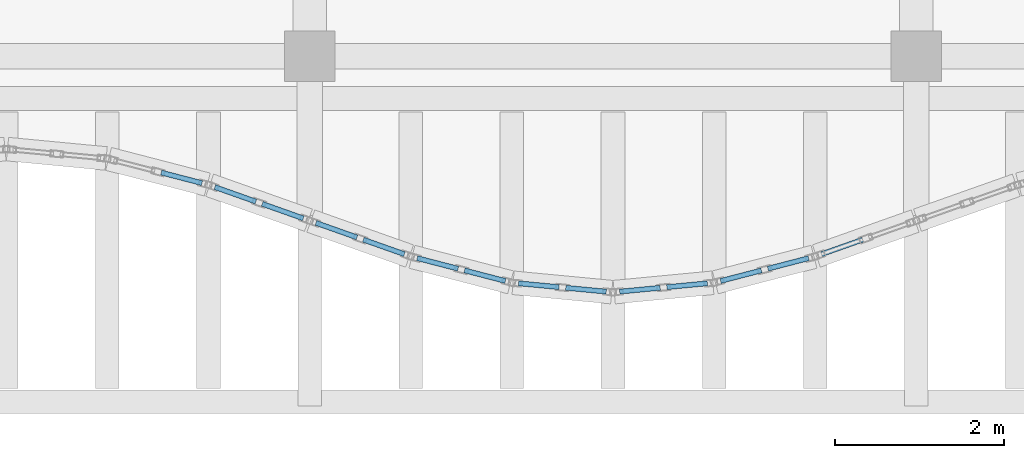
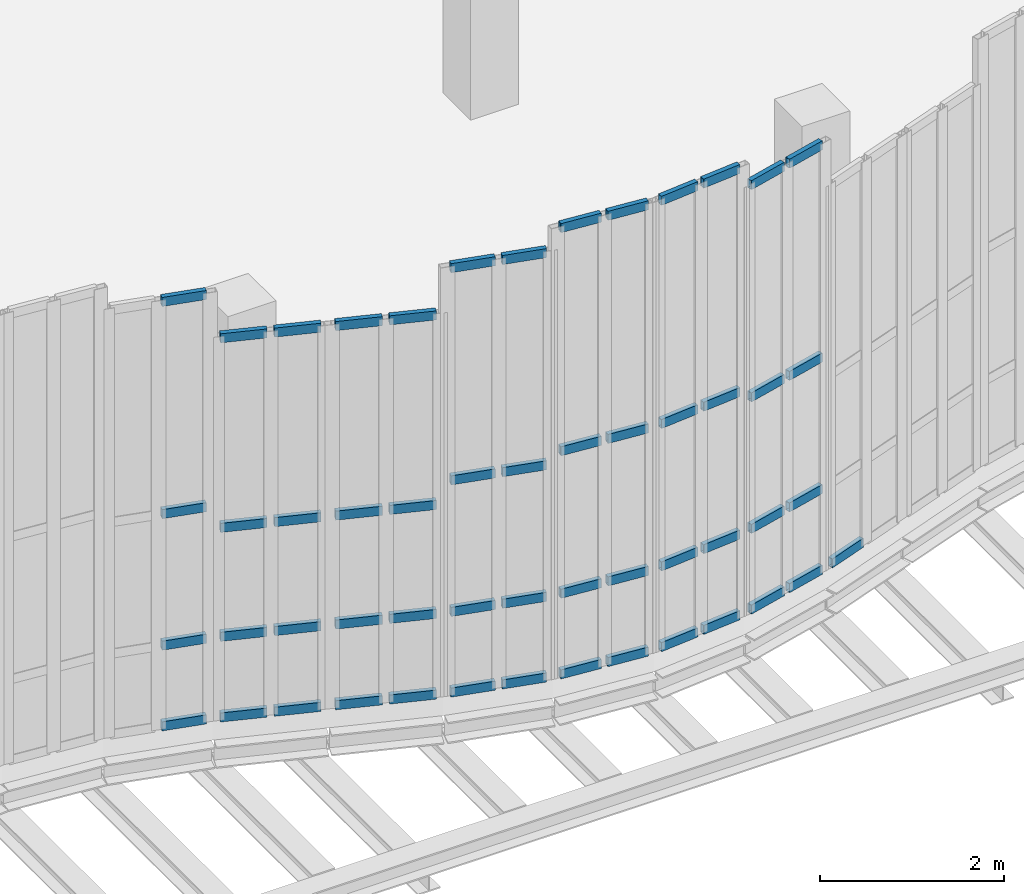
# One storey, part 34 of 76: 53 members, 8 elements without a shape of their own.
"""IFC4 building model written with IfcOpenShell, lengths in metres."""

from ifc_helpers import new_model, si_unit, direction, frame, origin, origin_2d, place, context, subcontext, project, spatial, hollow_rectangle, extrude, material, layer, layer_set, material_profile, profile_set, type_object, element, aggregate, save


model = new_model("IFC4")

# Units and contexts
model_context = context("Model", 3, precision=1e-05, world=origin(), true_north=direction((0.0, 1.0)))
body_context = subcontext(model_context, "Body", "Model", "MODEL_VIEW")
ifc_project = project(units=[si_unit("LENGTHUNIT", "METRE"), si_unit("AREAUNIT", "SQUARE_METRE"), si_unit("VOLUMEUNIT", "CUBIC_METRE"), si_unit("PLANEANGLEUNIT", "RADIAN"), si_unit("MASSUNIT", "GRAM", prefix="KILO"), si_unit("THERMODYNAMICTEMPERATUREUNIT", "KELVIN"), si_unit("POWERUNIT", "WATT")], contexts=[model_context])

# Site, building, storey
site_placement = place(None, origin())
site = spatial("IfcSite", under=ifc_project, at=site_placement, CompositionType="ELEMENT")
building_placement = place(site_placement, origin())
building = spatial("IfcBuilding", under=site, at=building_placement, Name="Kaldorven Railside Theatre", CompositionType="ELEMENT")
storey_placement = place(building_placement, frame((0.0, 0.0, 14.39990234375)))
storey = spatial("IfcBuildingStorey", under=building, at=storey_placement, Name="L03", CompositionType="ELEMENT", Elevation=14.39990234375)

# Curtain wall, members
ifc_material_1 = material(Name="Low-E laminated solar-control glass", Category="glass")
ifc_layer_1 = layer(ifc_material_1, 0.159912109375, Name="Low-E laminated solar-control glass")
ifc_layer_set_1 = layer_set([ifc_layer_1], Name="Low-E laminated solar-control glass")
curtain_wall_type_1 = type_object("IfcCurtainWallType", Name="CWT-09", PredefinedType="USERDEFINED", material=ifc_layer_set_1)
curtain_wall_1_placement = place(storey_placement, origin())
curtain_wall_1 = element("IfcCurtainWall", 1, at=curtain_wall_1_placement, inside=storey, type_object=curtain_wall_type_1, Name="Sinusoidal Fluted Curtain Wall CW-L03-S05", ObjectType="FLUTED GLAZING", PredefinedType="USERDEFINED")
ifc_material_2 = material(Name="Anodised bronze aluminium", Category="aluminium")
ifc_material_profile = material_profile(ifc_material_2, hollow_rectangle(XDim=0.06005859375, YDim=0.1201171875, WallThickness=0.0048828125, at=origin_2d()), Name="RHS 120x60x5")
ifc_profile_set = profile_set([ifc_material_profile], Name="Anodised bronze aluminium")
member_type = type_object("IfcMemberType", Name="CWT-120", PredefinedType="USERDEFINED", material=ifc_profile_set)
member_1_placement = place(storey_placement, frame((42.23876953125, 17.820556640625, 0.030029296875), z_axis=(0.967979318949, -0.251029954561, 0.0), x_axis=(0.251029954561, 0.967979318949, 0.0)))
member_1 = element("IfcMember", 2, at=member_1_placement, type_object=member_type, Name="CW-L03-S05 transom 2.1", ObjectType="TRANSOM", PredefinedType="USERDEFINED", context=body_context, shape_type="SweptSolid", body=[
    extrude(hollow_rectangle(XDim=0.06005859375, YDim=0.1201171875, WallThickness=0.0048828125, at=origin_2d()), origin(), (0.0, 0.0, 1.0), 0.5),
])
member_2_placement = place(storey_placement, frame((42.23876953125, 17.820556640625, 1.10009765625), z_axis=(0.967979318949, -0.251029954561, 0.0), x_axis=(0.251029954561, 0.967979318949, 0.0)))
member_2 = element("IfcMember", 3, at=member_2_placement, type_object=member_type, Name="CW-L03-S05 transom 2.2", ObjectType="TRANSOM", PredefinedType="USERDEFINED", context=body_context, shape_type="SweptSolid", body=[
    extrude(hollow_rectangle(XDim=0.06005859375, YDim=0.1201171875, WallThickness=0.0048828125, at=origin_2d()), origin(), (0.0, 0.0, 1.0), 0.5),
])
member_3_placement = place(storey_placement, frame((42.23876953125, 17.820556640625, 2.84521484375), z_axis=(0.967979318949, -0.251029954561, 0.0), x_axis=(0.251029954561, 0.967979318949, 0.0)))
member_3 = element("IfcMember", 4, at=member_3_placement, type_object=member_type, Name="CW-L03-S05 transom 2.3", ObjectType="TRANSOM", PredefinedType="USERDEFINED", context=body_context, shape_type="SweptSolid", body=[
    extrude(hollow_rectangle(XDim=0.06005859375, YDim=0.1201171875, WallThickness=0.0048828125, at=origin_2d()), origin(), (0.0, 0.0, 1.0), 0.5),
])
member_4_placement = place(storey_placement, frame((42.23876953125, 17.820556640625, 5.66015625), z_axis=(0.967979318949, -0.251029954561, 0.0), x_axis=(0.251029954561, 0.967979318949, 0.0)))
member_4 = element("IfcMember", 5, at=member_4_placement, type_object=member_type, Name="CW-L03-S05 transom 2.4", ObjectType="TRANSOM", PredefinedType="USERDEFINED", context=body_context, shape_type="SweptSolid", body=[
    extrude(hollow_rectangle(XDim=0.06005859375, YDim=0.1201171875, WallThickness=0.0048828125, at=origin_2d()), origin(), (0.0, 0.0, 1.0), 0.5),
])
aggregate(curtain_wall_1, [member_1, member_2, member_3, member_4])

ifc_layer_2 = layer(ifc_material_1, 0.159912109375, Name="Low-E laminated solar-control glass")
ifc_layer_set_2 = layer_set([ifc_layer_2], Name="Low-E laminated solar-control glass")
curtain_wall_type_2 = type_object("IfcCurtainWallType", Name="CWT-08", PredefinedType="USERDEFINED", material=ifc_layer_set_2)
curtain_wall_2_placement = place(storey_placement, origin())
curtain_wall_2 = element("IfcCurtainWall", 6, at=curtain_wall_2_placement, inside=storey, type_object=curtain_wall_type_2, Name="Sinusoidal Fluted Curtain Wall CW-L03-S06", ObjectType="FLUTED GLAZING", PredefinedType="USERDEFINED")
member_5_placement = place(storey_placement, frame((42.87548828125, 17.648193359375, 0.030029296875), z_axis=(0.942658214948, -0.333759628763, 0.0), x_axis=(0.333759628763, 0.942658214948, 0.0)))
member_5 = element("IfcMember", 7, at=member_5_placement, type_object=member_type, Name="CW-L03-S06 transom 1.1", ObjectType="TRANSOM", PredefinedType="USERDEFINED", context=body_context, shape_type="SweptSolid", body=[
    extrude(hollow_rectangle(XDim=0.06005859375, YDim=0.1201171875, WallThickness=0.0048828125, at=origin_2d()), origin(), (0.0, 0.0, 1.0), 0.516357421875),
])
member_6_placement = place(storey_placement, frame((42.87548828125, 17.648193359375, 1.10009765625), z_axis=(0.942658214948, -0.333759628763, 0.0), x_axis=(0.333759628763, 0.942658214948, 0.0)))
member_6 = element("IfcMember", 8, at=member_6_placement, type_object=member_type, Name="CW-L03-S06 transom 1.2", ObjectType="TRANSOM", PredefinedType="USERDEFINED", context=body_context, shape_type="SweptSolid", body=[
    extrude(hollow_rectangle(XDim=0.06005859375, YDim=0.1201171875, WallThickness=0.0048828125, at=origin_2d()), origin(), (0.0, 0.0, 1.0), 0.516357421875),
])
member_7_placement = place(storey_placement, frame((42.87548828125, 17.648193359375, 2.545166015625), z_axis=(0.942658214948, -0.333759628763, 0.0), x_axis=(0.333759628763, 0.942658214948, 0.0)))
member_7 = element("IfcMember", 9, at=member_7_placement, type_object=member_type, Name="CW-L03-S06 transom 1.3", ObjectType="TRANSOM", PredefinedType="USERDEFINED", context=body_context, shape_type="SweptSolid", body=[
    extrude(hollow_rectangle(XDim=0.06005859375, YDim=0.1201171875, WallThickness=0.0048828125, at=origin_2d()), origin(), (0.0, 0.0, 1.0), 0.516357421875),
])
member_8_placement = place(storey_placement, frame((42.87548828125, 17.648193359375, 5.06005859375), z_axis=(0.942658214948, -0.333759628763, 0.0), x_axis=(0.333759628763, 0.942658214948, 0.0)))
member_8 = element("IfcMember", 10, at=member_8_placement, type_object=member_type, Name="CW-L03-S06 transom 1.4", ObjectType="TRANSOM", PredefinedType="USERDEFINED", context=body_context, shape_type="SweptSolid", body=[
    extrude(hollow_rectangle(XDim=0.06005859375, YDim=0.1201171875, WallThickness=0.0048828125, at=origin_2d()), origin(), (0.0, 0.0, 1.0), 0.516357421875),
])
member_9_placement = place(storey_placement, frame((43.437744140625, 17.44921875, 0.030029296875), z_axis=(0.942509408488, -0.334179614745, 0.0), x_axis=(0.334179614745, 0.942509408488, 0.0)))
member_9 = element("IfcMember", 11, at=member_9_placement, type_object=member_type, Name="CW-L03-S06 transom 2.1", ObjectType="TRANSOM", PredefinedType="USERDEFINED", context=body_context, shape_type="SweptSolid", body=[
    extrude(hollow_rectangle(XDim=0.06005859375, YDim=0.1201171875, WallThickness=0.0048828125, at=origin_2d()), origin(), (0.0, 0.0, 1.0), 0.5166015625),
])
member_10_placement = place(storey_placement, frame((43.437744140625, 17.44921875, 1.10009765625), z_axis=(0.942509408488, -0.334179614745, 0.0), x_axis=(0.334179614745, 0.942509408488, 0.0)))
member_10 = element("IfcMember", 12, at=member_10_placement, type_object=member_type, Name="CW-L03-S06 transom 2.2", ObjectType="TRANSOM", PredefinedType="USERDEFINED", context=body_context, shape_type="SweptSolid", body=[
    extrude(hollow_rectangle(XDim=0.06005859375, YDim=0.1201171875, WallThickness=0.0048828125, at=origin_2d()), origin(), (0.0, 0.0, 1.0), 0.5166015625),
])
member_11_placement = place(storey_placement, frame((43.437744140625, 17.44921875, 2.545166015625), z_axis=(0.942509408488, -0.334179614745, 0.0), x_axis=(0.334179614745, 0.942509408488, 0.0)))
member_11 = element("IfcMember", 13, at=member_11_placement, type_object=member_type, Name="CW-L03-S06 transom 2.3", ObjectType="TRANSOM", PredefinedType="USERDEFINED", context=body_context, shape_type="SweptSolid", body=[
    extrude(hollow_rectangle(XDim=0.06005859375, YDim=0.1201171875, WallThickness=0.0048828125, at=origin_2d()), origin(), (0.0, 0.0, 1.0), 0.5166015625),
])
member_12_placement = place(storey_placement, frame((43.437744140625, 17.44921875, 5.06005859375), z_axis=(0.942509408488, -0.334179614745, 0.0), x_axis=(0.334179614745, 0.942509408488, 0.0)))
member_12 = element("IfcMember", 14, at=member_12_placement, type_object=member_type, Name="CW-L03-S06 transom 2.4", ObjectType="TRANSOM", PredefinedType="USERDEFINED", context=body_context, shape_type="SweptSolid", body=[
    extrude(hollow_rectangle(XDim=0.06005859375, YDim=0.1201171875, WallThickness=0.0048828125, at=origin_2d()), origin(), (0.0, 0.0, 1.0), 0.5166015625),
])
aggregate(curtain_wall_2, [member_5, member_6, member_7, member_8, member_9, member_10, member_11, member_12])

curtain_wall_3_placement = place(storey_placement, origin())
curtain_wall_3 = element("IfcCurtainWall", 15, at=curtain_wall_3_placement, inside=storey, type_object=curtain_wall_type_2, Name="Sinusoidal Fluted Curtain Wall CW-L03-S07", ObjectType="FLUTED GLAZING", PredefinedType="USERDEFINED")
member_13_placement = place(storey_placement, frame((44.075439453125, 17.223388671875, 0.030029296875), z_axis=(0.942509408488, -0.334179614745, 0.0), x_axis=(0.334179614745, 0.942509408488, 0.0)))
member_13 = element("IfcMember", 16, at=member_13_placement, type_object=member_type, Name="CW-L03-S07 transom 1.1", ObjectType="TRANSOM", PredefinedType="USERDEFINED", context=body_context, shape_type="SweptSolid", body=[
    extrude(hollow_rectangle(XDim=0.06005859375, YDim=0.1201171875, WallThickness=0.0048828125, at=origin_2d()), origin(), (0.0, 0.0, 1.0), 0.5166015625),
])
member_14_placement = place(storey_placement, frame((44.075439453125, 17.223388671875, 1.10009765625), z_axis=(0.942509408488, -0.334179614745, 0.0), x_axis=(0.334179614745, 0.942509408488, 0.0)))
member_14 = element("IfcMember", 17, at=member_14_placement, type_object=member_type, Name="CW-L03-S07 transom 1.2", ObjectType="TRANSOM", PredefinedType="USERDEFINED", context=body_context, shape_type="SweptSolid", body=[
    extrude(hollow_rectangle(XDim=0.06005859375, YDim=0.1201171875, WallThickness=0.0048828125, at=origin_2d()), origin(), (0.0, 0.0, 1.0), 0.5166015625),
])
member_15_placement = place(storey_placement, frame((44.075439453125, 17.223388671875, 2.545166015625), z_axis=(0.942509408488, -0.334179614745, 0.0), x_axis=(0.334179614745, 0.942509408488, 0.0)))
member_15 = element("IfcMember", 18, at=member_15_placement, type_object=member_type, Name="CW-L03-S07 transom 1.3", ObjectType="TRANSOM", PredefinedType="USERDEFINED", context=body_context, shape_type="SweptSolid", body=[
    extrude(hollow_rectangle(XDim=0.06005859375, YDim=0.1201171875, WallThickness=0.0048828125, at=origin_2d()), origin(), (0.0, 0.0, 1.0), 0.5166015625),
])
member_16_placement = place(storey_placement, frame((44.075439453125, 17.223388671875, 5.06005859375), z_axis=(0.942509408488, -0.334179614745, 0.0), x_axis=(0.334179614745, 0.942509408488, 0.0)))
member_16 = element("IfcMember", 19, at=member_16_placement, type_object=member_type, Name="CW-L03-S07 transom 1.4", ObjectType="TRANSOM", PredefinedType="USERDEFINED", context=body_context, shape_type="SweptSolid", body=[
    extrude(hollow_rectangle(XDim=0.06005859375, YDim=0.1201171875, WallThickness=0.0048828125, at=origin_2d()), origin(), (0.0, 0.0, 1.0), 0.5166015625),
])
member_17_placement = place(storey_placement, frame((44.6376953125, 17.024169921875, 0.030029296875), z_axis=(0.942658214948, -0.333759628763, 0.0), x_axis=(0.333759628763, 0.942658214948, 0.0)))
member_17 = element("IfcMember", 20, at=member_17_placement, type_object=member_type, Name="CW-L03-S07 transom 2.1", ObjectType="TRANSOM", PredefinedType="USERDEFINED", context=body_context, shape_type="SweptSolid", body=[
    extrude(hollow_rectangle(XDim=0.06005859375, YDim=0.1201171875, WallThickness=0.0048828125, at=origin_2d()), origin(), (0.0, 0.0, 1.0), 0.516357421875),
])
member_18_placement = place(storey_placement, frame((44.6376953125, 17.024169921875, 1.10009765625), z_axis=(0.942658214948, -0.333759628763, 0.0), x_axis=(0.333759628763, 0.942658214948, 0.0)))
member_18 = element("IfcMember", 21, at=member_18_placement, type_object=member_type, Name="CW-L03-S07 transom 2.2", ObjectType="TRANSOM", PredefinedType="USERDEFINED", context=body_context, shape_type="SweptSolid", body=[
    extrude(hollow_rectangle(XDim=0.06005859375, YDim=0.1201171875, WallThickness=0.0048828125, at=origin_2d()), origin(), (0.0, 0.0, 1.0), 0.516357421875),
])
member_19_placement = place(storey_placement, frame((44.6376953125, 17.024169921875, 2.545166015625), z_axis=(0.942658214948, -0.333759628763, 0.0), x_axis=(0.333759628763, 0.942658214948, 0.0)))
member_19 = element("IfcMember", 22, at=member_19_placement, type_object=member_type, Name="CW-L03-S07 transom 2.3", ObjectType="TRANSOM", PredefinedType="USERDEFINED", context=body_context, shape_type="SweptSolid", body=[
    extrude(hollow_rectangle(XDim=0.06005859375, YDim=0.1201171875, WallThickness=0.0048828125, at=origin_2d()), origin(), (0.0, 0.0, 1.0), 0.516357421875),
])
member_20_placement = place(storey_placement, frame((44.6376953125, 17.024169921875, 5.06005859375), z_axis=(0.942658214948, -0.333759628763, 0.0), x_axis=(0.333759628763, 0.942658214948, 0.0)))
member_20 = element("IfcMember", 23, at=member_20_placement, type_object=member_type, Name="CW-L03-S07 transom 2.4", ObjectType="TRANSOM", PredefinedType="USERDEFINED", context=body_context, shape_type="SweptSolid", body=[
    extrude(hollow_rectangle(XDim=0.06005859375, YDim=0.1201171875, WallThickness=0.0048828125, at=origin_2d()), origin(), (0.0, 0.0, 1.0), 0.516357421875),
])
aggregate(curtain_wall_3, [member_13, member_14, member_15, member_16, member_17, member_18, member_19, member_20])

curtain_wall_4_placement = place(storey_placement, origin())
curtain_wall_4 = element("IfcCurtainWall", 24, at=curtain_wall_4_placement, inside=storey, type_object=curtain_wall_type_1, Name="Sinusoidal Fluted Curtain Wall CW-L03-S08", ObjectType="FLUTED GLAZING", PredefinedType="USERDEFINED")
member_21_placement = place(storey_placement, frame((45.27734375, 16.804931640625, 0.030029296875), z_axis=(0.967979318949, -0.251029954561, 0.0), x_axis=(0.251029954561, 0.967979318949, 0.0)))
member_21 = element("IfcMember", 25, at=member_21_placement, type_object=member_type, Name="CW-L03-S08 transom 1.1", ObjectType="TRANSOM", PredefinedType="USERDEFINED", context=body_context, shape_type="SweptSolid", body=[
    extrude(hollow_rectangle(XDim=0.06005859375, YDim=0.1201171875, WallThickness=0.0048828125, at=origin_2d()), origin(), (0.0, 0.0, 1.0), 0.5),
])
member_22_placement = place(storey_placement, frame((45.27734375, 16.804931640625, 1.10009765625), z_axis=(0.967979318949, -0.251029954561, 0.0), x_axis=(0.251029954561, 0.967979318949, 0.0)))
member_22 = element("IfcMember", 26, at=member_22_placement, type_object=member_type, Name="CW-L03-S08 transom 1.2", ObjectType="TRANSOM", PredefinedType="USERDEFINED", context=body_context, shape_type="SweptSolid", body=[
    extrude(hollow_rectangle(XDim=0.06005859375, YDim=0.1201171875, WallThickness=0.0048828125, at=origin_2d()), origin(), (0.0, 0.0, 1.0), 0.5),
])
member_23_placement = place(storey_placement, frame((45.27734375, 16.804931640625, 2.84521484375), z_axis=(0.967979318949, -0.251029954561, 0.0), x_axis=(0.251029954561, 0.967979318949, 0.0)))
member_23 = element("IfcMember", 27, at=member_23_placement, type_object=member_type, Name="CW-L03-S08 transom 1.3", ObjectType="TRANSOM", PredefinedType="USERDEFINED", context=body_context, shape_type="SweptSolid", body=[
    extrude(hollow_rectangle(XDim=0.06005859375, YDim=0.1201171875, WallThickness=0.0048828125, at=origin_2d()), origin(), (0.0, 0.0, 1.0), 0.5),
])
member_24_placement = place(storey_placement, frame((45.27734375, 16.804931640625, 5.66015625), z_axis=(0.967979318949, -0.251029954561, 0.0), x_axis=(0.251029954561, 0.967979318949, 0.0)))
member_24 = element("IfcMember", 28, at=member_24_placement, type_object=member_type, Name="CW-L03-S08 transom 1.4", ObjectType="TRANSOM", PredefinedType="USERDEFINED", context=body_context, shape_type="SweptSolid", body=[
    extrude(hollow_rectangle(XDim=0.06005859375, YDim=0.1201171875, WallThickness=0.0048828125, at=origin_2d()), origin(), (0.0, 0.0, 1.0), 0.5),
])
member_25_placement = place(storey_placement, frame((45.838623046875, 16.659423828125, 0.030029296875), z_axis=(0.967979318949, -0.251029954561, 0.0), x_axis=(0.251029954561, 0.967979318949, 0.0)))
member_25 = element("IfcMember", 29, at=member_25_placement, type_object=member_type, Name="CW-L03-S08 transom 2.1", ObjectType="TRANSOM", PredefinedType="USERDEFINED", context=body_context, shape_type="SweptSolid", body=[
    extrude(hollow_rectangle(XDim=0.06005859375, YDim=0.1201171875, WallThickness=0.0048828125, at=origin_2d()), origin(), (0.0, 0.0, 1.0), 0.5),
])
member_26_placement = place(storey_placement, frame((45.838623046875, 16.659423828125, 1.10009765625), z_axis=(0.967979318949, -0.251029954561, 0.0), x_axis=(0.251029954561, 0.967979318949, 0.0)))
member_26 = element("IfcMember", 30, at=member_26_placement, type_object=member_type, Name="CW-L03-S08 transom 2.2", ObjectType="TRANSOM", PredefinedType="USERDEFINED", context=body_context, shape_type="SweptSolid", body=[
    extrude(hollow_rectangle(XDim=0.06005859375, YDim=0.1201171875, WallThickness=0.0048828125, at=origin_2d()), origin(), (0.0, 0.0, 1.0), 0.5),
])
member_27_placement = place(storey_placement, frame((45.838623046875, 16.659423828125, 2.84521484375), z_axis=(0.967979318949, -0.251029954561, 0.0), x_axis=(0.251029954561, 0.967979318949, 0.0)))
member_27 = element("IfcMember", 31, at=member_27_placement, type_object=member_type, Name="CW-L03-S08 transom 2.3", ObjectType="TRANSOM", PredefinedType="USERDEFINED", context=body_context, shape_type="SweptSolid", body=[
    extrude(hollow_rectangle(XDim=0.06005859375, YDim=0.1201171875, WallThickness=0.0048828125, at=origin_2d()), origin(), (0.0, 0.0, 1.0), 0.5),
])
member_28_placement = place(storey_placement, frame((45.838623046875, 16.659423828125, 5.66015625), z_axis=(0.967979318949, -0.251029954561, 0.0), x_axis=(0.251029954561, 0.967979318949, 0.0)))
member_28 = element("IfcMember", 32, at=member_28_placement, type_object=member_type, Name="CW-L03-S08 transom 2.4", ObjectType="TRANSOM", PredefinedType="USERDEFINED", context=body_context, shape_type="SweptSolid", body=[
    extrude(hollow_rectangle(XDim=0.06005859375, YDim=0.1201171875, WallThickness=0.0048828125, at=origin_2d()), origin(), (0.0, 0.0, 1.0), 0.5),
])
aggregate(curtain_wall_4, [member_21, member_22, member_23, member_24, member_25, member_26, member_27, member_28])

ifc_layer_3 = layer(ifc_material_1, 0.159912109375, Name="Low-E laminated solar-control glass")
ifc_layer_set_3 = layer_set([ifc_layer_3], Name="Low-E laminated solar-control glass")
curtain_wall_type_3 = type_object("IfcCurtainWallType", Name="CWT-10", PredefinedType="USERDEFINED", material=ifc_layer_set_3)
curtain_wall_5_placement = place(storey_placement, origin())
curtain_wall_5 = element("IfcCurtainWall", 33, at=curtain_wall_5_placement, inside=storey, type_object=curtain_wall_type_3, Name="Sinusoidal Fluted Curtain Wall CW-L03-S09", ObjectType="FLUTED GLAZING", PredefinedType="USERDEFINED")
member_29_placement = place(storey_placement, frame((46.479736328125, 16.50634765625, 0.030029296875), z_axis=(0.995515910823, -0.094594245591, 0.0), x_axis=(0.094594245591, 0.995515910823, 0.0)))
member_29 = element("IfcMember", 34, at=member_29_placement, type_object=member_type, Name="CW-L03-S09 transom 1.1", ObjectType="TRANSOM", PredefinedType="USERDEFINED", context=body_context, shape_type="SweptSolid", body=[
    extrude(hollow_rectangle(XDim=0.06005859375, YDim=0.1201171875, WallThickness=0.0048828125, at=origin_2d()), origin(), (0.0, 0.0, 1.0), 0.482666015625),
])
member_30_placement = place(storey_placement, frame((46.479736328125, 16.50634765625, 1.10009765625), z_axis=(0.995515910823, -0.094594245591, 0.0), x_axis=(0.094594245591, 0.995515910823, 0.0)))
member_30 = element("IfcMember", 35, at=member_30_placement, type_object=member_type, Name="CW-L03-S09 transom 1.2", ObjectType="TRANSOM", PredefinedType="USERDEFINED", context=body_context, shape_type="SweptSolid", body=[
    extrude(hollow_rectangle(XDim=0.06005859375, YDim=0.1201171875, WallThickness=0.0048828125, at=origin_2d()), origin(), (0.0, 0.0, 1.0), 0.482666015625),
])
member_31_placement = place(storey_placement, frame((46.479736328125, 16.50634765625, 2.989990234375), z_axis=(0.995515910823, -0.094594245591, 0.0), x_axis=(0.094594245591, 0.995515910823, 0.0)))
member_31 = element("IfcMember", 36, at=member_31_placement, type_object=member_type, Name="CW-L03-S09 transom 1.3", ObjectType="TRANSOM", PredefinedType="USERDEFINED", context=body_context, shape_type="SweptSolid", body=[
    extrude(hollow_rectangle(XDim=0.06005859375, YDim=0.1201171875, WallThickness=0.0048828125, at=origin_2d()), origin(), (0.0, 0.0, 1.0), 0.482666015625),
])
member_32_placement = place(storey_placement, frame((46.479736328125, 16.50634765625, 5.9501953125), z_axis=(0.995515910823, -0.094594245591, 0.0), x_axis=(0.094594245591, 0.995515910823, 0.0)))
member_32 = element("IfcMember", 37, at=member_32_placement, type_object=member_type, Name="CW-L03-S09 transom 1.4", ObjectType="TRANSOM", PredefinedType="USERDEFINED", context=body_context, shape_type="SweptSolid", body=[
    extrude(hollow_rectangle(XDim=0.06005859375, YDim=0.1201171875, WallThickness=0.0048828125, at=origin_2d()), origin(), (0.0, 0.0, 1.0), 0.482666015625),
])
member_33_placement = place(storey_placement, frame((47.039794921875, 16.453125, 0.030029296875), z_axis=(0.995515910823, -0.094594245591, 0.0), x_axis=(0.094594245591, 0.995515910823, 0.0)))
member_33 = element("IfcMember", 38, at=member_33_placement, type_object=member_type, Name="CW-L03-S09 transom 2.1", ObjectType="TRANSOM", PredefinedType="USERDEFINED", context=body_context, shape_type="SweptSolid", body=[
    extrude(hollow_rectangle(XDim=0.06005859375, YDim=0.1201171875, WallThickness=0.0048828125, at=origin_2d()), origin(), (0.0, 0.0, 1.0), 0.482666015625),
])
member_34_placement = place(storey_placement, frame((47.039794921875, 16.453125, 1.10009765625), z_axis=(0.995515910823, -0.094594245591, 0.0), x_axis=(0.094594245591, 0.995515910823, 0.0)))
member_34 = element("IfcMember", 39, at=member_34_placement, type_object=member_type, Name="CW-L03-S09 transom 2.2", ObjectType="TRANSOM", PredefinedType="USERDEFINED", context=body_context, shape_type="SweptSolid", body=[
    extrude(hollow_rectangle(XDim=0.06005859375, YDim=0.1201171875, WallThickness=0.0048828125, at=origin_2d()), origin(), (0.0, 0.0, 1.0), 0.482666015625),
])
member_35_placement = place(storey_placement, frame((47.039794921875, 16.453125, 2.989990234375), z_axis=(0.995515910823, -0.094594245591, 0.0), x_axis=(0.094594245591, 0.995515910823, 0.0)))
member_35 = element("IfcMember", 40, at=member_35_placement, type_object=member_type, Name="CW-L03-S09 transom 2.3", ObjectType="TRANSOM", PredefinedType="USERDEFINED", context=body_context, shape_type="SweptSolid", body=[
    extrude(hollow_rectangle(XDim=0.06005859375, YDim=0.1201171875, WallThickness=0.0048828125, at=origin_2d()), origin(), (0.0, 0.0, 1.0), 0.482666015625),
])
member_36_placement = place(storey_placement, frame((47.039794921875, 16.453125, 5.9501953125), z_axis=(0.995515910823, -0.094594245591, 0.0), x_axis=(0.094594245591, 0.995515910823, 0.0)))
member_36 = element("IfcMember", 41, at=member_36_placement, type_object=member_type, Name="CW-L03-S09 transom 2.4", ObjectType="TRANSOM", PredefinedType="USERDEFINED", context=body_context, shape_type="SweptSolid", body=[
    extrude(hollow_rectangle(XDim=0.06005859375, YDim=0.1201171875, WallThickness=0.0048828125, at=origin_2d()), origin(), (0.0, 0.0, 1.0), 0.482666015625),
])
aggregate(curtain_wall_5, [member_29, member_30, member_31, member_32, member_33, member_34, member_35, member_36])

curtain_wall_6_placement = place(storey_placement, origin())
curtain_wall_6 = element("IfcCurtainWall", 42, at=curtain_wall_6_placement, inside=storey, type_object=curtain_wall_type_3, Name="Sinusoidal Fluted Curtain Wall CW-L03-S10", ObjectType="FLUTED GLAZING", PredefinedType="USERDEFINED")
member_37_placement = place(storey_placement, frame((47.6796875, 16.407470703125, 0.030029296875), z_axis=(0.995515910823, 0.094594245591, 0.0), x_axis=(-0.094594245591, 0.995515910823, 0.0)))
member_37 = element("IfcMember", 43, at=member_37_placement, type_object=member_type, Name="CW-L03-S10 transom 1.1", ObjectType="TRANSOM", PredefinedType="USERDEFINED", context=body_context, shape_type="SweptSolid", body=[
    extrude(hollow_rectangle(XDim=0.06005859375, YDim=0.1201171875, WallThickness=0.0048828125, at=origin_2d()), origin(), (0.0, 0.0, 1.0), 0.482666015625),
])
member_38_placement = place(storey_placement, frame((47.6796875, 16.407470703125, 1.10009765625), z_axis=(0.995515910823, 0.094594245591, 0.0), x_axis=(-0.094594245591, 0.995515910823, 0.0)))
member_38 = element("IfcMember", 44, at=member_38_placement, type_object=member_type, Name="CW-L03-S10 transom 1.2", ObjectType="TRANSOM", PredefinedType="USERDEFINED", context=body_context, shape_type="SweptSolid", body=[
    extrude(hollow_rectangle(XDim=0.06005859375, YDim=0.1201171875, WallThickness=0.0048828125, at=origin_2d()), origin(), (0.0, 0.0, 1.0), 0.482666015625),
])
member_39_placement = place(storey_placement, frame((47.6796875, 16.407470703125, 2.989990234375), z_axis=(0.995515910823, 0.094594245591, 0.0), x_axis=(-0.094594245591, 0.995515910823, 0.0)))
member_39 = element("IfcMember", 45, at=member_39_placement, type_object=member_type, Name="CW-L03-S10 transom 1.3", ObjectType="TRANSOM", PredefinedType="USERDEFINED", context=body_context, shape_type="SweptSolid", body=[
    extrude(hollow_rectangle(XDim=0.06005859375, YDim=0.1201171875, WallThickness=0.0048828125, at=origin_2d()), origin(), (0.0, 0.0, 1.0), 0.482666015625),
])
member_40_placement = place(storey_placement, frame((47.6796875, 16.407470703125, 5.9501953125), z_axis=(0.995515910823, 0.094594245591, 0.0), x_axis=(-0.094594245591, 0.995515910823, 0.0)))
member_40 = element("IfcMember", 46, at=member_40_placement, type_object=member_type, Name="CW-L03-S10 transom 1.4", ObjectType="TRANSOM", PredefinedType="USERDEFINED", context=body_context, shape_type="SweptSolid", body=[
    extrude(hollow_rectangle(XDim=0.06005859375, YDim=0.1201171875, WallThickness=0.0048828125, at=origin_2d()), origin(), (0.0, 0.0, 1.0), 0.482666015625),
])
member_41_placement = place(storey_placement, frame((48.23974609375, 16.460693359375, 0.030029296875), z_axis=(0.995520433802, 0.094546633378, 0.0), x_axis=(-0.094546633378, 0.995520433802, 0.0)))
member_41 = element("IfcMember", 47, at=member_41_placement, type_object=member_type, Name="CW-L03-S10 transom 2.1", ObjectType="TRANSOM", PredefinedType="USERDEFINED", context=body_context, shape_type="SweptSolid", body=[
    extrude(hollow_rectangle(XDim=0.06005859375, YDim=0.1201171875, WallThickness=0.0048828125, at=origin_2d()), origin(), (0.0, 0.0, 1.0), 0.48291015625),
])
member_42_placement = place(storey_placement, frame((48.23974609375, 16.460693359375, 1.10009765625), z_axis=(0.995520433802, 0.094546633378, 0.0), x_axis=(-0.094546633378, 0.995520433802, 0.0)))
member_42 = element("IfcMember", 48, at=member_42_placement, type_object=member_type, Name="CW-L03-S10 transom 2.2", ObjectType="TRANSOM", PredefinedType="USERDEFINED", context=body_context, shape_type="SweptSolid", body=[
    extrude(hollow_rectangle(XDim=0.06005859375, YDim=0.1201171875, WallThickness=0.0048828125, at=origin_2d()), origin(), (0.0, 0.0, 1.0), 0.48291015625),
])
member_43_placement = place(storey_placement, frame((48.23974609375, 16.460693359375, 2.989990234375), z_axis=(0.995520433802, 0.094546633378, 0.0), x_axis=(-0.094546633378, 0.995520433802, 0.0)))
member_43 = element("IfcMember", 49, at=member_43_placement, type_object=member_type, Name="CW-L03-S10 transom 2.3", ObjectType="TRANSOM", PredefinedType="USERDEFINED", context=body_context, shape_type="SweptSolid", body=[
    extrude(hollow_rectangle(XDim=0.06005859375, YDim=0.1201171875, WallThickness=0.0048828125, at=origin_2d()), origin(), (0.0, 0.0, 1.0), 0.48291015625),
])
member_44_placement = place(storey_placement, frame((48.23974609375, 16.460693359375, 5.9501953125), z_axis=(0.995520433802, 0.094546633378, 0.0), x_axis=(-0.094546633378, 0.995520433802, 0.0)))
member_44 = element("IfcMember", 50, at=member_44_placement, type_object=member_type, Name="CW-L03-S10 transom 2.4", ObjectType="TRANSOM", PredefinedType="USERDEFINED", context=body_context, shape_type="SweptSolid", body=[
    extrude(hollow_rectangle(XDim=0.06005859375, YDim=0.1201171875, WallThickness=0.0048828125, at=origin_2d()), origin(), (0.0, 0.0, 1.0), 0.48291015625),
])
aggregate(curtain_wall_6, [member_37, member_38, member_39, member_40, member_41, member_42, member_43, member_44])

curtain_wall_7_placement = place(storey_placement, origin())
curtain_wall_7 = element("IfcCurtainWall", 51, at=curtain_wall_7_placement, inside=storey, type_object=curtain_wall_type_1, Name="Sinusoidal Fluted Curtain Wall CW-L03-S11", ObjectType="FLUTED GLAZING", PredefinedType="USERDEFINED")
member_45_placement = place(storey_placement, frame((48.87744140625, 16.533935546875, 0.030029296875), z_axis=(0.967979318949, 0.251029954561, 0.0), x_axis=(-0.251029954561, 0.967979318949, 0.0)))
member_45 = element("IfcMember", 52, at=member_45_placement, type_object=member_type, Name="CW-L03-S11 transom 1.1", ObjectType="TRANSOM", PredefinedType="USERDEFINED", context=body_context, shape_type="SweptSolid", body=[
    extrude(hollow_rectangle(XDim=0.06005859375, YDim=0.1201171875, WallThickness=0.0048828125, at=origin_2d()), origin(), (0.0, 0.0, 1.0), 0.5),
])
member_46_placement = place(storey_placement, frame((48.87744140625, 16.533935546875, 1.10009765625), z_axis=(0.967979318949, 0.251029954561, 0.0), x_axis=(-0.251029954561, 0.967979318949, 0.0)))
member_46 = element("IfcMember", 53, at=member_46_placement, type_object=member_type, Name="CW-L03-S11 transom 1.2", ObjectType="TRANSOM", PredefinedType="USERDEFINED", context=body_context, shape_type="SweptSolid", body=[
    extrude(hollow_rectangle(XDim=0.06005859375, YDim=0.1201171875, WallThickness=0.0048828125, at=origin_2d()), origin(), (0.0, 0.0, 1.0), 0.5),
])
member_47_placement = place(storey_placement, frame((48.87744140625, 16.533935546875, 2.84521484375), z_axis=(0.967979318949, 0.251029954561, 0.0), x_axis=(-0.251029954561, 0.967979318949, 0.0)))
member_47 = element("IfcMember", 54, at=member_47_placement, type_object=member_type, Name="CW-L03-S11 transom 1.3", ObjectType="TRANSOM", PredefinedType="USERDEFINED", context=body_context, shape_type="SweptSolid", body=[
    extrude(hollow_rectangle(XDim=0.06005859375, YDim=0.1201171875, WallThickness=0.0048828125, at=origin_2d()), origin(), (0.0, 0.0, 1.0), 0.5),
])
member_48_placement = place(storey_placement, frame((48.87744140625, 16.533935546875, 5.66015625), z_axis=(0.967979318949, 0.251029954561, 0.0), x_axis=(-0.251029954561, 0.967979318949, 0.0)))
member_48 = element("IfcMember", 55, at=member_48_placement, type_object=member_type, Name="CW-L03-S11 transom 1.4", ObjectType="TRANSOM", PredefinedType="USERDEFINED", context=body_context, shape_type="SweptSolid", body=[
    extrude(hollow_rectangle(XDim=0.06005859375, YDim=0.1201171875, WallThickness=0.0048828125, at=origin_2d()), origin(), (0.0, 0.0, 1.0), 0.5),
])
member_49_placement = place(storey_placement, frame((49.438720703125, 16.679443359375, 0.030029296875), z_axis=(0.967979318949, 0.251029954561, 0.0), x_axis=(-0.251029954561, 0.967979318949, 0.0)))
member_49 = element("IfcMember", 56, at=member_49_placement, type_object=member_type, Name="CW-L03-S11 transom 2.1", ObjectType="TRANSOM", PredefinedType="USERDEFINED", context=body_context, shape_type="SweptSolid", body=[
    extrude(hollow_rectangle(XDim=0.06005859375, YDim=0.1201171875, WallThickness=0.0048828125, at=origin_2d()), origin(), (0.0, 0.0, 1.0), 0.5),
])
member_50_placement = place(storey_placement, frame((49.438720703125, 16.679443359375, 1.10009765625), z_axis=(0.967979318949, 0.251029954561, 0.0), x_axis=(-0.251029954561, 0.967979318949, 0.0)))
member_50 = element("IfcMember", 57, at=member_50_placement, type_object=member_type, Name="CW-L03-S11 transom 2.2", ObjectType="TRANSOM", PredefinedType="USERDEFINED", context=body_context, shape_type="SweptSolid", body=[
    extrude(hollow_rectangle(XDim=0.06005859375, YDim=0.1201171875, WallThickness=0.0048828125, at=origin_2d()), origin(), (0.0, 0.0, 1.0), 0.5),
])
member_51_placement = place(storey_placement, frame((49.438720703125, 16.679443359375, 2.84521484375), z_axis=(0.967979318949, 0.251029954561, 0.0), x_axis=(-0.251029954561, 0.967979318949, 0.0)))
member_51 = element("IfcMember", 58, at=member_51_placement, type_object=member_type, Name="CW-L03-S11 transom 2.3", ObjectType="TRANSOM", PredefinedType="USERDEFINED", context=body_context, shape_type="SweptSolid", body=[
    extrude(hollow_rectangle(XDim=0.06005859375, YDim=0.1201171875, WallThickness=0.0048828125, at=origin_2d()), origin(), (0.0, 0.0, 1.0), 0.5),
])
member_52_placement = place(storey_placement, frame((49.438720703125, 16.679443359375, 5.66015625), z_axis=(0.967979318949, 0.251029954561, 0.0), x_axis=(-0.251029954561, 0.967979318949, 0.0)))
member_52 = element("IfcMember", 59, at=member_52_placement, type_object=member_type, Name="CW-L03-S11 transom 2.4", ObjectType="TRANSOM", PredefinedType="USERDEFINED", context=body_context, shape_type="SweptSolid", body=[
    extrude(hollow_rectangle(XDim=0.06005859375, YDim=0.1201171875, WallThickness=0.0048828125, at=origin_2d()), origin(), (0.0, 0.0, 1.0), 0.5),
])
aggregate(curtain_wall_7, [member_45, member_46, member_47, member_48, member_49, member_50, member_51, member_52])

# Curtain wall, member
curtain_wall_8_placement = place(storey_placement, origin())
curtain_wall_8 = element("IfcCurtainWall", 60, at=curtain_wall_8_placement, inside=storey, type_object=curtain_wall_type_2, Name="Sinusoidal Fluted Curtain Wall CW-L03-S12", ObjectType="FLUTED GLAZING", PredefinedType="USERDEFINED")
member_53_placement = place(storey_placement, frame((50.075439453125, 16.851806640625, 0.030029296875), z_axis=(0.942658214948, 0.333759628763, 0.0), x_axis=(-0.333759628763, 0.942658214948, 0.0)))
member_53 = element("IfcMember", 61, at=member_53_placement, type_object=member_type, Name="CW-L03-S12 transom 1.1", ObjectType="TRANSOM", PredefinedType="USERDEFINED", context=body_context, shape_type="SweptSolid", body=[
    extrude(hollow_rectangle(XDim=0.06005859375, YDim=0.1201171875, WallThickness=0.0048828125, at=origin_2d()), origin(), (0.0, 0.0, 1.0), 0.516357421875),
])
aggregate(curtain_wall_8, [member_53])

save(model, "model.ifc")
